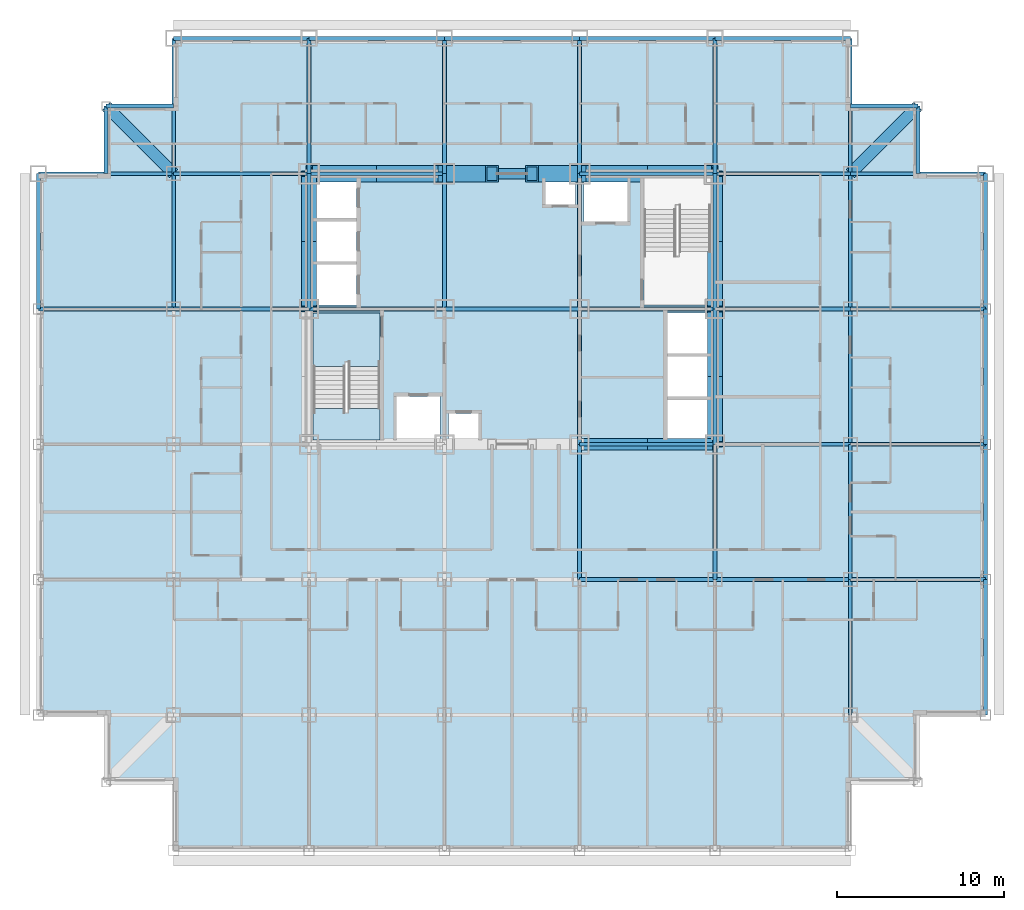
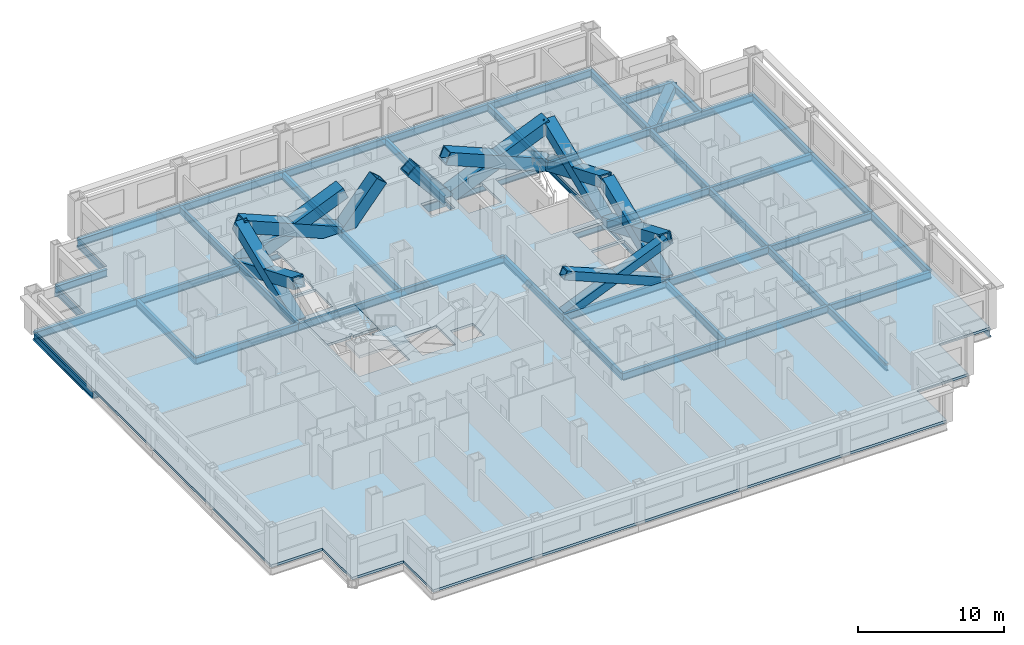
# One storey, part 2 of 11: 55 beams, 14 members, 3 slabs, 1 element without a shape of its own.
"""IFC4 building model written with IfcOpenShell, lengths in metres."""

from ifc_helpers import new_model, si_unit, direction, frame, origin, origin_2d, place, context, subcontext, project, spatial, polyline, hollow_rectangle, i_section, outline, extrude, material, layer, layer_set, material_profile, profile_set, type_object, element, aggregate, save


model = new_model("IFC4")

# Units and contexts
model_context = context("Model", 3, precision=1e-05, world=origin(), true_north=direction((0.0, 1.0)))
body_context = subcontext(model_context, "Body", "Model", "MODEL_VIEW")
ifc_project = project(units=[si_unit("LENGTHUNIT", "METRE"), si_unit("AREAUNIT", "SQUARE_METRE"), si_unit("VOLUMEUNIT", "CUBIC_METRE"), si_unit("PLANEANGLEUNIT", "RADIAN"), si_unit("MASSUNIT", "GRAM", prefix="KILO")], contexts=[model_context])

# Site, building, storey
site_placement = place(None, origin())
site = spatial("IfcSite", under=ifc_project, at=site_placement, CompositionType="ELEMENT")
building_placement = place(site_placement, origin())
building = spatial("IfcBuilding", under=site, at=building_placement, Name="Kopane Lantern Tower", CompositionType="ELEMENT")
storey_placement = place(building_placement, frame((0.0, 0.0, 73.800048828125)))
storey = spatial("IfcBuildingStorey", under=building, at=storey_placement, Name="L18", CompositionType="ELEMENT", Elevation=73.800048828125)

# Members
ifc_material_1 = material(Name="Steel S355JR", Category="steel")
ifc_material_profile_1 = material_profile(ifc_material_1, hollow_rectangle(XDim=1.0, YDim=1.0, WallThickness=0.10009765625, at=origin_2d()), Name="BOX 1000x1000x100")
ifc_profile_set_1 = profile_set([ifc_material_profile_1], Name="Steel S355JR")
member_type_1 = type_object("IfcMemberType", Name="BRACE BOX 1000x1000x100", PredefinedType="BRACE", material=ifc_profile_set_1)
for number, where, z_axis, x_axis, name in (
    (1, (16.199951171875, 40.5, -0.2099609375), (0.922069000757, 0.0, 0.387025526088), (0.0, 1.0, 0.0), "Core brace L18"),
    (2, (24.300048828125, 40.5, -0.2099609375), (-0.922069000757, 0.0, 0.387025526088), (0.0, -1.0, 0.0), "Core brace L18"),
):
    element("IfcMember", number, at=place(storey_placement, frame(where, z_axis=z_axis, x_axis=x_axis)), inside=storey, type_object=member_type_1, Name=name, PredefinedType="BRACE", context=body_context, shape_type="SweptSolid", body=[
        extrude(hollow_rectangle(XDim=1.0, YDim=1.0, WallThickness=0.10009765625, at=origin_2d()), origin(), (0.0, 0.0, 1.0), 8.78466796875),
    ])
for number, where, z_axis, x_axis, name in (
    (3, (24.300048828125, 40.5, -0.2099609375), (0.642390257445, 0.0, 0.7663776857), (0.0, 1.0, 0.0), "Core brace L18"),
    (4, (32.39990234375, 40.5, -0.2099609375), (-0.642390257445, 0.0, 0.7663776857), (0.0, -1.0, 0.0), "Core brace L18"),
):
    element("IfcMember", number, at=place(storey_placement, frame(where, z_axis=z_axis, x_axis=x_axis)), inside=storey, type_object=member_type_1, Name=name, PredefinedType="BRACE", context=body_context, shape_type="SweptSolid", body=[
        extrude(hollow_rectangle(XDim=1.0, YDim=1.0, WallThickness=0.10009765625, at=origin_2d()), origin(), (0.0, 0.0, 1.0), 4.436279296875),
    ])
for number, where, z_axis, x_axis, name in (
    (5, (32.39990234375, 40.5, -0.2099609375), (0.922069000757, 0.0, 0.387025526088), (0.0, 1.0, 0.0), "Core brace L18"),
    (6, (40.5, 40.5, -0.2099609375), (-0.922069000757, 0.0, 0.387025526088), (0.0, -1.0, 0.0), "Core brace L18"),
):
    element("IfcMember", number, at=place(storey_placement, frame(where, z_axis=z_axis, x_axis=x_axis)), inside=storey, type_object=member_type_1, Name=name, PredefinedType="BRACE", context=body_context, shape_type="SweptSolid", body=[
        extrude(hollow_rectangle(XDim=1.0, YDim=1.0, WallThickness=0.10009765625, at=origin_2d()), origin(), (0.0, 0.0, 1.0), 8.78466796875),
    ])
ifc_material_2 = material(Name="Steel S355JR", Category="steel")
ifc_material_profile_2 = material_profile(ifc_material_2, hollow_rectangle(XDim=0.699951171875, YDim=0.699951171875, WallThickness=0.06005859375, at=origin_2d()), Name="BOX 700x700x60")
ifc_profile_set_2 = profile_set([ifc_material_profile_2], Name="Steel S355JR")
member_type_2 = type_object("IfcMemberType", Name="BRACE BOX 700x700x60", PredefinedType="BRACE", material=ifc_profile_set_2)
for number, where, z_axis, x_axis, name in (
    (7, (32.39990234375, 24.300048828125, -0.2099609375), (0.922069000757, 0.0, 0.387025526088), (0.0, 1.0, 0.0), "Core brace L18"),
    (8, (40.5, 24.300048828125, -0.2099609375), (-0.922069000757, 0.0, 0.387025526088), (0.0, -1.0, 0.0), "Core brace L18"),
):
    element("IfcMember", number, at=place(storey_placement, frame(where, z_axis=z_axis, x_axis=x_axis)), inside=storey, type_object=member_type_2, Name=name, PredefinedType="BRACE", context=body_context, shape_type="SweptSolid", body=[
        extrude(hollow_rectangle(XDim=0.699951171875, YDim=0.699951171875, WallThickness=0.06005859375, at=origin_2d()), origin(), (0.0, 0.0, 1.0), 8.78466796875),
    ])
ifc_material_3 = material(Name="Steel S355JR", Category="steel")
ifc_material_profile_3 = material_profile(ifc_material_3, hollow_rectangle(XDim=0.89990234375, YDim=0.89990234375, WallThickness=0.090087890625, at=origin_2d()), Name="BOX 900x900x90")
ifc_profile_set_3 = profile_set([ifc_material_profile_3], Name="Steel S355JR")
member_type_3 = type_object("IfcMemberType", Name="BRACE BOX 900x900x90", PredefinedType="BRACE", material=ifc_profile_set_3)
for number, where, z_axis, x_axis, name in (
    (9, (16.199951171875, 32.39990234375, -0.2099609375), (0.0, 0.922069000757, 0.387025526088), (-1.0, 0.0, 0.0), "Core brace L18"),
    (10, (16.199951171875, 40.5, -0.2099609375), (0.0, -0.922069000757, 0.387025526088), (1.0, 0.0, 0.0), "Core brace L18"),
):
    element("IfcMember", number, at=place(storey_placement, frame(where, z_axis=z_axis, x_axis=x_axis)), inside=storey, type_object=member_type_3, Name=name, PredefinedType="BRACE", context=body_context, shape_type="SweptSolid", body=[
        extrude(hollow_rectangle(XDim=0.89990234375, YDim=0.89990234375, WallThickness=0.090087890625, at=origin_2d()), origin(), (0.0, 0.0, 1.0), 8.78466796875),
    ])
for number, where, z_axis, x_axis, name in (
    (11, (40.5, 24.300048828125, -0.2099609375), (0.0, 0.922064837731, 0.38703544414), (-1.0, 0.0, 0.0), "Core brace L18"),
    (12, (40.5, 32.39990234375, -0.2099609375), (0.0, -0.922064837731, 0.38703544414), (1.0, 0.0, 0.0), "Core brace L18"),
):
    element("IfcMember", number, at=place(storey_placement, frame(where, z_axis=z_axis, x_axis=x_axis)), inside=storey, type_object=member_type_3, Name=name, PredefinedType="BRACE", context=body_context, shape_type="SweptSolid", body=[
        extrude(hollow_rectangle(XDim=0.89990234375, YDim=0.89990234375, WallThickness=0.090087890625, at=origin_2d()), origin(), (0.0, 0.0, 1.0), 8.784423828125),
    ])
for number, where, z_axis, x_axis, name in (
    (13, (40.5, 32.39990234375, -0.2099609375), (0.0, 0.922069000757, 0.387025526088), (-1.0, 0.0, 0.0), "Core brace L18"),
    (14, (40.5, 40.5, -0.2099609375), (0.0, -0.922069000757, 0.387025526088), (1.0, 0.0, 0.0), "Core brace L18"),
):
    element("IfcMember", number, at=place(storey_placement, frame(where, z_axis=z_axis, x_axis=x_axis)), inside=storey, type_object=member_type_3, Name=name, PredefinedType="BRACE", context=body_context, shape_type="SweptSolid", body=[
        extrude(hollow_rectangle(XDim=0.89990234375, YDim=0.89990234375, WallThickness=0.090087890625, at=origin_2d()), origin(), (0.0, 0.0, 1.0), 8.78466796875),
    ])

# Beams
ifc_material_4 = material(Name="Steel S355JR", Category="steel")
ifc_material_profile_4 = material_profile(ifc_material_4, i_section(OverallWidth=0.22900390625, OverallDepth=0.6123046875, WebThickness=0.011962890625, FlangeThickness=0.01953125, FilletRadius=0.0126953125, at=origin_2d()), Name="UB 610x229x125")
ifc_profile_set_4 = profile_set([ifc_material_profile_4], Name="Steel S355JR")
beam_type_1 = type_object("IfcBeamType", Name="CORE BEAM UB 610x229x125", PredefinedType="BEAM", material=ifc_profile_set_4)
for number, where, z_axis, x_axis, name in (
    (15, (16.199951171875, 32.39990234375, -0.51611328125), (1.0, 0.0, 0.0), (0.0, 1.0, 0.0), "Core Beam L18"),
    (16, (24.300048828125, 32.39990234375, -0.51611328125), (0.0, 1.0, 0.0), (-1.0, 0.0, 0.0), "Core Beam L18"),
):
    element("IfcBeam", number, at=place(storey_placement, frame(where, z_axis=z_axis, x_axis=x_axis)), inside=storey, type_object=beam_type_1, Name=name, PredefinedType="BEAM", context=body_context, shape_type="SweptSolid", body=[
        extrude(i_section(OverallWidth=0.22900390625, OverallDepth=0.6123046875, WebThickness=0.011962890625, FlangeThickness=0.01953125, FilletRadius=0.0126953125, at=origin_2d()), origin(), (0.0, 0.0, 1.0), 8.10009765625),
    ])
for number, where, z_axis, x_axis, name in (
    (17, (24.300048828125, 32.39990234375, -0.51611328125), (1.0, 0.0, 0.0), (0.0, 1.0, 0.0), "Core Beam L18"),
    (18, (32.39990234375, 24.300048828125, -0.51611328125), (0.0, 1.0, 0.0), (-1.0, 0.0, 0.0), "Core Beam L18"),
):
    element("IfcBeam", number, at=place(storey_placement, frame(where, z_axis=z_axis, x_axis=x_axis)), inside=storey, type_object=beam_type_1, Name=name, PredefinedType="BEAM", context=body_context, shape_type="SweptSolid", body=[
        extrude(i_section(OverallWidth=0.22900390625, OverallDepth=0.6123046875, WebThickness=0.011962890625, FlangeThickness=0.01953125, FilletRadius=0.0126953125, at=origin_2d()), origin(), (0.0, 0.0, 1.0), 8.099853515625),
    ])
for number, where, z_axis, x_axis, name in (
    (19, (32.39990234375, 32.39990234375, -0.51611328125), (0.0, 1.0, 0.0), (-1.0, 0.0, 0.0), "Core Beam L18"),
    (20, (32.39990234375, 32.39990234375, -0.51611328125), (1.0, 0.0, 0.0), (0.0, 1.0, 0.0), "Core Beam L18"),
):
    element("IfcBeam", number, at=place(storey_placement, frame(where, z_axis=z_axis, x_axis=x_axis)), inside=storey, type_object=beam_type_1, Name=name, PredefinedType="BEAM", context=body_context, shape_type="SweptSolid", body=[
        extrude(i_section(OverallWidth=0.22900390625, OverallDepth=0.6123046875, WebThickness=0.011962890625, FlangeThickness=0.01953125, FilletRadius=0.0126953125, at=origin_2d()), origin(), (0.0, 0.0, 1.0), 8.10009765625),
    ])
ifc_material_5 = material(Name="Steel S355JR", Category="steel")
ifc_material_profile_5 = material_profile(ifc_material_5, hollow_rectangle(XDim=0.699951171875, YDim=0.699951171875, WallThickness=0.06005859375, at=origin_2d()), Name="BOX 700x700x60")
ifc_profile_set_5 = profile_set([ifc_material_profile_5], Name="Steel S355JR")
beam_type_2 = type_object("IfcBeamType", Name="CORNER TIE BEAM BOX 700x700x60", PredefinedType="BEAM", material=ifc_profile_set_5)
for number, where, z_axis, x_axis, name in (
    (21, (4.050048828125, 44.550048828125, -0.56005859375), (0.707106781187, -0.707106781187, 0.0), (0.707106781187, 0.707106781187, 0.0), "Corner Tie Beam L18"),
    (22, (52.64990234375, 44.550048828125, -0.56005859375), (-0.707085467703, -0.707128094028, 0.0), (0.707128094028, -0.707085467703, 0.0), "Corner Tie Beam L18"),
):
    element("IfcBeam", number, at=place(storey_placement, frame(where, z_axis=z_axis, x_axis=x_axis)), inside=storey, type_object=beam_type_2, Name=name, PredefinedType="BEAM", context=body_context, shape_type="SweptSolid", body=[
        extrude(hollow_rectangle(XDim=0.699951171875, YDim=0.699951171875, WallThickness=0.06005859375, at=origin_2d()), origin(), (0.0, 0.0, 1.0), 5.7275390625),
    ])
ifc_material_6 = material(Name="Steel S355JR", Category="steel")
ifc_material_profile_6 = material_profile(ifc_material_6, i_section(OverallWidth=0.22900390625, OverallDepth=0.6123046875, WebThickness=0.011962890625, FlangeThickness=0.01953125, FilletRadius=0.0126953125, at=origin_2d()), Name="UB 610x229x125")
ifc_profile_set_6 = profile_set([ifc_material_profile_6], Name="Steel S355JR")
beam_type_3 = type_object("IfcBeamType", Name="EDGE BEAM UB 610x229x125", PredefinedType="BEAM", material=ifc_profile_set_6)
for number, where, z_axis, x_axis, name in (
    (23, (4.050048828125, 44.550048828125, -0.51611328125), (0.0, -1.0, 0.0), (1.0, 0.0, 0.0), "Edge Beam L18"),
    (24, (4.050048828125, 44.550048828125, -0.51611328125), (1.0, 0.0, 0.0), (0.0, 1.0, 0.0), "Edge Beam L18"),
):
    element("IfcBeam", number, at=place(storey_placement, frame(where, z_axis=z_axis, x_axis=x_axis)), inside=storey, type_object=beam_type_3, Name=name, PredefinedType="BEAM", context=body_context, shape_type="SweptSolid", body=[
        extrude(i_section(OverallWidth=0.22900390625, OverallDepth=0.6123046875, WebThickness=0.011962890625, FlangeThickness=0.01953125, FilletRadius=0.0126953125, at=origin_2d()), origin(), (0.0, 0.0, 1.0), 4.050048828125),
    ])
beam_1_placement = place(storey_placement, frame((52.64990234375, 44.550048828125, -0.51611328125), z_axis=(-1.0, 0.0, 0.0), x_axis=(0.0, -1.0, 0.0)))
element("IfcBeam", 25, at=beam_1_placement, inside=storey, type_object=beam_type_3, Name="Edge Beam L18", PredefinedType="BEAM", context=body_context, shape_type="SweptSolid", body=[
    extrude(i_section(OverallWidth=0.22900390625, OverallDepth=0.6123046875, WebThickness=0.011962890625, FlangeThickness=0.01953125, FilletRadius=0.0126953125, at=origin_2d()), origin(), (0.0, 0.0, 1.0), 4.0498046875),
])
beam_2_placement = place(storey_placement, frame((52.64990234375, 44.550048828125, -0.51611328125), z_axis=(0.0, -1.0, 0.0), x_axis=(1.0, 0.0, 0.0)))
element("IfcBeam", 26, at=beam_2_placement, inside=storey, type_object=beam_type_3, Name="Edge Beam L18", PredefinedType="BEAM", context=body_context, shape_type="SweptSolid", body=[
    extrude(i_section(OverallWidth=0.22900390625, OverallDepth=0.6123046875, WebThickness=0.011962890625, FlangeThickness=0.01953125, FilletRadius=0.0126953125, at=origin_2d()), origin(), (0.0, 0.0, 1.0), 4.050048828125),
])
ifc_material_7 = material(Name="Steel S355JR", Category="steel")
ifc_material_profile_7 = material_profile(ifc_material_7, i_section(OverallWidth=0.22900390625, OverallDepth=0.6123046875, WebThickness=0.011962890625, FlangeThickness=0.01953125, FilletRadius=0.0126953125, at=origin_2d()), Name="UB 610x229x125")
ifc_profile_set_7 = profile_set([ifc_material_profile_7], Name="Steel S355JR")
beam_type_4 = type_object("IfcBeamType", Name="GIRDER UB 610x229x125", PredefinedType="BEAM", material=ifc_profile_set_7)
for number, where, z_axis, x_axis, name in (
    (27, (0.0, 32.39990234375, -0.51611328125), (0.0, 1.0, 0.0), (-1.0, 0.0, 0.0), "Girder L18"),
    (28, (0.0, 32.39990234375, -0.51611328125), (1.0, 0.0, 0.0), (0.0, 1.0, 0.0), "Girder L18"),
    (29, (0.0, 40.5, -0.51611328125), (1.0, 0.0, 0.0), (0.0, 1.0, 0.0), "Girder L18"),
    (30, (8.10009765625, 32.39990234375, -0.51611328125), (0.0, 1.0, 0.0), (-1.0, 0.0, 0.0), "Girder L18"),
):
    element("IfcBeam", number, at=place(storey_placement, frame(where, z_axis=z_axis, x_axis=x_axis)), inside=storey, type_object=beam_type_4, Name=name, PredefinedType="BEAM", context=body_context, shape_type="SweptSolid", body=[
        extrude(i_section(OverallWidth=0.22900390625, OverallDepth=0.6123046875, WebThickness=0.011962890625, FlangeThickness=0.01953125, FilletRadius=0.0126953125, at=origin_2d()), origin(), (0.0, 0.0, 1.0), 8.10009765625),
    ])
beam_3_placement = place(storey_placement, frame((8.10009765625, 32.39990234375, -0.51611328125), z_axis=(1.0, 0.0, 0.0), x_axis=(0.0, 1.0, 0.0)))
element("IfcBeam", 31, at=beam_3_placement, inside=storey, type_object=beam_type_4, Name="Girder L18", PredefinedType="BEAM", context=body_context, shape_type="SweptSolid", body=[
    extrude(i_section(OverallWidth=0.22900390625, OverallDepth=0.6123046875, WebThickness=0.011962890625, FlangeThickness=0.01953125, FilletRadius=0.0126953125, at=origin_2d()), origin(), (0.0, 0.0, 1.0), 8.099853515625),
])
beam_4_placement = place(storey_placement, frame((8.10009765625, 40.5, -0.51611328125), z_axis=(0.0, 1.0, 0.0), x_axis=(-1.0, 0.0, 0.0)))
element("IfcBeam", 32, at=beam_4_placement, inside=storey, type_object=beam_type_4, Name="Girder L18", PredefinedType="BEAM", context=body_context, shape_type="SweptSolid", body=[
    extrude(i_section(OverallWidth=0.22900390625, OverallDepth=0.6123046875, WebThickness=0.011962890625, FlangeThickness=0.01953125, FilletRadius=0.0126953125, at=origin_2d()), origin(), (0.0, 0.0, 1.0), 8.10009765625),
])
for number, where, z_axis, x_axis, name in (
    (33, (8.10009765625, 40.5, -0.51611328125), (1.0, 0.0, 0.0), (0.0, 1.0, 0.0), "Girder L18"),
    (34, (8.10009765625, 48.60009765625, -0.51611328125), (1.0, 0.0, 0.0), (0.0, 1.0, 0.0), "Girder L18"),
):
    element("IfcBeam", number, at=place(storey_placement, frame(where, z_axis=z_axis, x_axis=x_axis)), inside=storey, type_object=beam_type_4, Name=name, PredefinedType="BEAM", context=body_context, shape_type="SweptSolid", body=[
        extrude(i_section(OverallWidth=0.22900390625, OverallDepth=0.6123046875, WebThickness=0.011962890625, FlangeThickness=0.01953125, FilletRadius=0.0126953125, at=origin_2d()), origin(), (0.0, 0.0, 1.0), 8.099853515625),
    ])
for number, where, z_axis, x_axis, name in (
    (35, (16.199951171875, 32.39990234375, -0.51611328125), (0.0, 1.0, 0.0), (-1.0, 0.0, 0.0), "Girder L18"),
    (36, (16.199951171875, 40.5, -0.51611328125), (0.0, 1.0, 0.0), (-1.0, 0.0, 0.0), "Girder L18"),
    (37, (16.199951171875, 40.5, -0.51611328125), (1.0, 0.0, 0.0), (0.0, 1.0, 0.0), "Girder L18"),
    (38, (16.199951171875, 48.60009765625, -0.51611328125), (1.0, 0.0, 0.0), (0.0, 1.0, 0.0), "Girder L18"),
    (39, (24.300048828125, 40.5, -0.51611328125), (0.0, 1.0, 0.0), (-1.0, 0.0, 0.0), "Girder L18"),
):
    element("IfcBeam", number, at=place(storey_placement, frame(where, z_axis=z_axis, x_axis=x_axis)), inside=storey, type_object=beam_type_4, Name=name, PredefinedType="BEAM", context=body_context, shape_type="SweptSolid", body=[
        extrude(i_section(OverallWidth=0.22900390625, OverallDepth=0.6123046875, WebThickness=0.011962890625, FlangeThickness=0.01953125, FilletRadius=0.0126953125, at=origin_2d()), origin(), (0.0, 0.0, 1.0), 8.10009765625),
    ])
beam_5_placement = place(storey_placement, frame((24.300048828125, 48.60009765625, -0.51611328125), z_axis=(1.0, 0.0, 0.0), x_axis=(0.0, 1.0, 0.0)))
element("IfcBeam", 40, at=beam_5_placement, inside=storey, type_object=beam_type_4, Name="Girder L18", PredefinedType="BEAM", context=body_context, shape_type="SweptSolid", body=[
    extrude(i_section(OverallWidth=0.22900390625, OverallDepth=0.6123046875, WebThickness=0.011962890625, FlangeThickness=0.01953125, FilletRadius=0.0126953125, at=origin_2d()), origin(), (0.0, 0.0, 1.0), 8.099853515625),
])
for number, where, z_axis, x_axis, name in (
    (41, (32.39990234375, 16.199951171875, -0.51611328125), (0.0, 1.0, 0.0), (-1.0, 0.0, 0.0), "Girder L18"),
    (42, (32.39990234375, 16.199951171875, -0.51611328125), (1.0, 0.0, 0.0), (0.0, 1.0, 0.0), "Girder L18"),
    (43, (32.39990234375, 24.300048828125, -0.51611328125), (1.0, 0.0, 0.0), (0.0, 1.0, 0.0), "Girder L18"),
    (44, (32.39990234375, 40.5, -0.51611328125), (0.0, 1.0, 0.0), (-1.0, 0.0, 0.0), "Girder L18"),
    (45, (32.39990234375, 40.5, -0.51611328125), (1.0, 0.0, 0.0), (0.0, 1.0, 0.0), "Girder L18"),
    (46, (32.39990234375, 48.60009765625, -0.51611328125), (1.0, 0.0, 0.0), (0.0, 1.0, 0.0), "Girder L18"),
    (47, (40.5, 16.199951171875, -0.51611328125), (0.0, 1.0, 0.0), (-1.0, 0.0, 0.0), "Girder L18"),
    (48, (40.5, 16.199951171875, -0.51611328125), (1.0, 0.0, 0.0), (0.0, 1.0, 0.0), "Girder L18"),
):
    element("IfcBeam", number, at=place(storey_placement, frame(where, z_axis=z_axis, x_axis=x_axis)), inside=storey, type_object=beam_type_4, Name=name, PredefinedType="BEAM", context=body_context, shape_type="SweptSolid", body=[
        extrude(i_section(OverallWidth=0.22900390625, OverallDepth=0.6123046875, WebThickness=0.011962890625, FlangeThickness=0.01953125, FilletRadius=0.0126953125, at=origin_2d()), origin(), (0.0, 0.0, 1.0), 8.10009765625),
    ])
beam_6_placement = place(storey_placement, frame((40.5, 24.300048828125, -0.51611328125), z_axis=(0.0, 1.0, 0.0), x_axis=(-1.0, 0.0, 0.0)))
element("IfcBeam", 49, at=beam_6_placement, inside=storey, type_object=beam_type_4, Name="Girder L18", PredefinedType="BEAM", context=body_context, shape_type="SweptSolid", body=[
    extrude(i_section(OverallWidth=0.22900390625, OverallDepth=0.6123046875, WebThickness=0.011962890625, FlangeThickness=0.01953125, FilletRadius=0.0126953125, at=origin_2d()), origin(), (0.0, 0.0, 1.0), 8.099853515625),
])
for number, where, z_axis, x_axis, name in (
    (50, (40.5, 24.300048828125, -0.51611328125), (1.0, 0.0, 0.0), (0.0, 1.0, 0.0), "Girder L18"),
    (51, (40.5, 32.39990234375, -0.51611328125), (0.0, 1.0, 0.0), (-1.0, 0.0, 0.0), "Girder L18"),
    (52, (40.5, 32.39990234375, -0.51611328125), (1.0, 0.0, 0.0), (0.0, 1.0, 0.0), "Girder L18"),
    (53, (40.5, 40.5, -0.51611328125), (0.0, 1.0, 0.0), (-1.0, 0.0, 0.0), "Girder L18"),
    (54, (40.5, 40.5, -0.51611328125), (1.0, 0.0, 0.0), (0.0, 1.0, 0.0), "Girder L18"),
    (55, (40.5, 48.60009765625, -0.51611328125), (1.0, 0.0, 0.0), (0.0, 1.0, 0.0), "Girder L18"),
):
    element("IfcBeam", number, at=place(storey_placement, frame(where, z_axis=z_axis, x_axis=x_axis)), inside=storey, type_object=beam_type_4, Name=name, PredefinedType="BEAM", context=body_context, shape_type="SweptSolid", body=[
        extrude(i_section(OverallWidth=0.22900390625, OverallDepth=0.6123046875, WebThickness=0.011962890625, FlangeThickness=0.01953125, FilletRadius=0.0126953125, at=origin_2d()), origin(), (0.0, 0.0, 1.0), 8.10009765625),
    ])
beam_7_placement = place(storey_placement, frame((48.60009765625, 8.10009765625, -0.51611328125), z_axis=(0.0, 1.0, 0.0), x_axis=(-1.0, 0.0, 0.0)))
element("IfcBeam", 56, at=beam_7_placement, inside=storey, type_object=beam_type_4, Name="Girder L18", PredefinedType="BEAM", context=body_context, shape_type="SweptSolid", body=[
    extrude(i_section(OverallWidth=0.22900390625, OverallDepth=0.6123046875, WebThickness=0.011962890625, FlangeThickness=0.01953125, FilletRadius=0.0126953125, at=origin_2d()), origin(), (0.0, 0.0, 1.0), 8.099853515625),
])
beam_8_placement = place(storey_placement, frame((48.60009765625, 16.199951171875, -0.51611328125), z_axis=(0.0, 1.0, 0.0), x_axis=(-1.0, 0.0, 0.0)))
element("IfcBeam", 57, at=beam_8_placement, inside=storey, type_object=beam_type_4, Name="Girder L18", PredefinedType="BEAM", context=body_context, shape_type="SweptSolid", body=[
    extrude(i_section(OverallWidth=0.22900390625, OverallDepth=0.6123046875, WebThickness=0.011962890625, FlangeThickness=0.01953125, FilletRadius=0.0126953125, at=origin_2d()), origin(), (0.0, 0.0, 1.0), 8.10009765625),
])
for number, where, z_axis, x_axis, name in (
    (58, (48.60009765625, 16.199951171875, -0.51611328125), (1.0, 0.0, 0.0), (0.0, 1.0, 0.0), "Girder L18"),
    (59, (48.60009765625, 24.300048828125, -0.51611328125), (0.0, 1.0, 0.0), (-1.0, 0.0, 0.0), "Girder L18"),
    (60, (48.60009765625, 24.300048828125, -0.51611328125), (1.0, 0.0, 0.0), (0.0, 1.0, 0.0), "Girder L18"),
):
    element("IfcBeam", number, at=place(storey_placement, frame(where, z_axis=z_axis, x_axis=x_axis)), inside=storey, type_object=beam_type_4, Name=name, PredefinedType="BEAM", context=body_context, shape_type="SweptSolid", body=[
        extrude(i_section(OverallWidth=0.22900390625, OverallDepth=0.6123046875, WebThickness=0.011962890625, FlangeThickness=0.01953125, FilletRadius=0.0126953125, at=origin_2d()), origin(), (0.0, 0.0, 1.0), 8.099853515625),
    ])
beam_9_placement = place(storey_placement, frame((48.60009765625, 32.39990234375, -0.51611328125), z_axis=(0.0, 1.0, 0.0), x_axis=(-1.0, 0.0, 0.0)))
element("IfcBeam", 61, at=beam_9_placement, inside=storey, type_object=beam_type_4, Name="Girder L18", PredefinedType="BEAM", context=body_context, shape_type="SweptSolid", body=[
    extrude(i_section(OverallWidth=0.22900390625, OverallDepth=0.6123046875, WebThickness=0.011962890625, FlangeThickness=0.01953125, FilletRadius=0.0126953125, at=origin_2d()), origin(), (0.0, 0.0, 1.0), 8.10009765625),
])
beam_10_placement = place(storey_placement, frame((48.60009765625, 32.39990234375, -0.51611328125), z_axis=(1.0, 0.0, 0.0), x_axis=(0.0, 1.0, 0.0)))
element("IfcBeam", 62, at=beam_10_placement, inside=storey, type_object=beam_type_4, Name="Girder L18", PredefinedType="BEAM", context=body_context, shape_type="SweptSolid", body=[
    extrude(i_section(OverallWidth=0.22900390625, OverallDepth=0.6123046875, WebThickness=0.011962890625, FlangeThickness=0.01953125, FilletRadius=0.0126953125, at=origin_2d()), origin(), (0.0, 0.0, 1.0), 8.099853515625),
])
beam_11_placement = place(storey_placement, frame((48.60009765625, 40.5, -0.51611328125), z_axis=(0.0, 1.0, 0.0), x_axis=(-1.0, 0.0, 0.0)))
element("IfcBeam", 63, at=beam_11_placement, inside=storey, type_object=beam_type_4, Name="Girder L18", PredefinedType="BEAM", context=body_context, shape_type="SweptSolid", body=[
    extrude(i_section(OverallWidth=0.22900390625, OverallDepth=0.6123046875, WebThickness=0.011962890625, FlangeThickness=0.01953125, FilletRadius=0.0126953125, at=origin_2d()), origin(), (0.0, 0.0, 1.0), 8.10009765625),
])
for number, where, z_axis, x_axis, name in (
    (64, (48.60009765625, 40.5, -0.51611328125), (1.0, 0.0, 0.0), (0.0, 1.0, 0.0), "Girder L18"),
    (65, (56.699951171875, 8.10009765625, -0.51611328125), (0.0, 1.0, 0.0), (-1.0, 0.0, 0.0), "Girder L18"),
):
    element("IfcBeam", number, at=place(storey_placement, frame(where, z_axis=z_axis, x_axis=x_axis)), inside=storey, type_object=beam_type_4, Name=name, PredefinedType="BEAM", context=body_context, shape_type="SweptSolid", body=[
        extrude(i_section(OverallWidth=0.22900390625, OverallDepth=0.6123046875, WebThickness=0.011962890625, FlangeThickness=0.01953125, FilletRadius=0.0126953125, at=origin_2d()), origin(), (0.0, 0.0, 1.0), 8.099853515625),
    ])
beam_12_placement = place(storey_placement, frame((56.699951171875, 16.199951171875, -0.51611328125), z_axis=(0.0, 1.0, 0.0), x_axis=(-1.0, 0.0, 0.0)))
element("IfcBeam", 66, at=beam_12_placement, inside=storey, type_object=beam_type_4, Name="Girder L18", PredefinedType="BEAM", context=body_context, shape_type="SweptSolid", body=[
    extrude(i_section(OverallWidth=0.22900390625, OverallDepth=0.6123046875, WebThickness=0.011962890625, FlangeThickness=0.01953125, FilletRadius=0.0126953125, at=origin_2d()), origin(), (0.0, 0.0, 1.0), 8.10009765625),
])
beam_13_placement = place(storey_placement, frame((56.699951171875, 24.300048828125, -0.51611328125), z_axis=(0.0, 1.0, 0.0), x_axis=(-1.0, 0.0, 0.0)))
element("IfcBeam", 67, at=beam_13_placement, inside=storey, type_object=beam_type_4, Name="Girder L18", PredefinedType="BEAM", context=body_context, shape_type="SweptSolid", body=[
    extrude(i_section(OverallWidth=0.22900390625, OverallDepth=0.6123046875, WebThickness=0.011962890625, FlangeThickness=0.01953125, FilletRadius=0.0126953125, at=origin_2d()), origin(), (0.0, 0.0, 1.0), 8.099853515625),
])
beam_14_placement = place(storey_placement, frame((56.699951171875, 32.39990234375, -0.51611328125), z_axis=(0.0, 1.0, 0.0), x_axis=(-1.0, 0.0, 0.0)))
element("IfcBeam", 68, at=beam_14_placement, inside=storey, type_object=beam_type_4, Name="Girder L18", PredefinedType="BEAM", context=body_context, shape_type="SweptSolid", body=[
    extrude(i_section(OverallWidth=0.22900390625, OverallDepth=0.6123046875, WebThickness=0.011962890625, FlangeThickness=0.01953125, FilletRadius=0.0126953125, at=origin_2d()), origin(), (0.0, 0.0, 1.0), 8.10009765625),
])
ifc_material_8 = material(Name="Steel S355JR", Category="steel")
ifc_material_profile_8 = material_profile(ifc_material_8, hollow_rectangle(XDim=0.64990234375, YDim=0.64990234375, WallThickness=0.070068359375, at=origin_2d()), Name="BOX 650x650x70")
ifc_profile_set_8 = profile_set([ifc_material_profile_8], Name="Steel S355JR")
beam_type_5 = type_object("IfcBeamType", Name="LINK BEAM BOX 650x650x70", PredefinedType="BEAM", material=ifc_profile_set_8)
beam_15_placement = place(storey_placement, frame((24.300048828125, 40.5, -0.53515625), z_axis=(1.0, 0.0, 0.0), x_axis=(0.0, 1.0, 0.0)))
element("IfcBeam", 69, at=beam_15_placement, inside=storey, type_object=beam_type_5, Name="Link Beam L18", PredefinedType="BEAM", context=body_context, shape_type="SweptSolid", body=[
    extrude(hollow_rectangle(XDim=0.64990234375, YDim=0.64990234375, WallThickness=0.070068359375, at=origin_2d()), origin(), (0.0, 0.0, 1.0), 8.099853515625),
])

# Slab
ifc_material_9 = material(Name="Concrete C40/50", Category="concrete")
ifc_layer_1 = layer(ifc_material_9, 0.2099609375)
ifc_layer_set_1 = layer_set([ifc_layer_1], Name="SLAB 210 COMPOSITE")
slab_type_1 = type_object("IfcSlabType", Name="SLAB 210 COMPOSITE", PredefinedType="FLOOR", material=ifc_layer_set_1)
slab_1_placement = place(storey_placement, frame((0.0, 0.0, -0.2099609375)))
element("IfcSlab", 70, at=slab_1_placement, inside=storey, type_object=slab_type_1, Name="Floor slab L18", PredefinedType="FLOOR", context=body_context, shape_type="SweptSolid", body=[
    extrude(outline(polyline([(8.10009765625, 0.0), (48.60009765625, 0.0), (48.60009765625, 4.050048828125), (52.64990234375, 4.050048828125), (52.64990234375, 8.10009765625), (56.699951171875, 8.10009765625), (56.699951171875, 40.5), (52.64990234375, 40.5), (52.64990234375, 44.550048828125), (48.60009765625, 44.550048828125), (48.60009765625, 48.60009765625), (8.10009765625, 48.60009765625), (8.10009765625, 44.550048828125), (4.050048828125, 44.550048828125), (4.050048828125, 40.5), (0.0, 40.5), (0.0, 8.10009765625), (4.050048828125, 8.10009765625), (4.050048828125, 4.050048828125), (8.10009765625, 4.050048828125), (8.10009765625, 0.0)]), holes=[polyline([(16.449951171875, 24.550048828125), (20.449951171875, 24.550048828125), (20.449951171875, 32.14990234375), (16.449951171875, 32.14990234375), (16.449951171875, 24.550048828125)]), polyline([(36.25, 32.64990234375), (40.25, 32.64990234375), (40.25, 40.25), (36.25, 40.25), (36.25, 32.64990234375)]), polyline([(16.449951171875, 32.64990234375), (19.050048828125, 32.64990234375), (19.050048828125, 35.050048828125), (16.449951171875, 35.050048828125), (16.449951171875, 32.64990234375)]), polyline([(16.449951171875, 35.25), (19.050048828125, 35.25), (19.050048828125, 37.64990234375), (16.449951171875, 37.64990234375), (16.449951171875, 35.25)]), polyline([(16.449951171875, 37.85009765625), (19.050048828125, 37.85009765625), (19.050048828125, 40.25), (16.449951171875, 40.25), (16.449951171875, 37.85009765625)]), polyline([(37.64990234375, 24.550048828125), (40.25, 24.550048828125), (40.25, 26.949951171875), (37.64990234375, 26.949951171875), (37.64990234375, 24.550048828125)]), polyline([(37.64990234375, 27.14990234375), (40.25, 27.14990234375), (40.25, 29.550048828125), (37.64990234375, 29.550048828125), (37.64990234375, 27.14990234375)]), polyline([(37.64990234375, 29.75), (40.25, 29.75), (40.25, 32.14990234375), (37.64990234375, 32.14990234375), (37.64990234375, 29.75)]), polyline([(21.449951171875, 24.550048828125), (24.050048828125, 24.550048828125), (24.050048828125, 27.14990234375), (21.449951171875, 27.14990234375), (21.449951171875, 24.550048828125)]), polyline([(32.64990234375, 37.64990234375), (35.25, 37.64990234375), (35.25, 40.25), (32.64990234375, 40.25), (32.64990234375, 37.64990234375)]), polyline([(24.550048828125, 24.550048828125), (26.35009765625, 24.550048828125), (26.35009765625, 26.14990234375), (24.550048828125, 26.14990234375), (24.550048828125, 24.550048828125)]), polyline([(30.35009765625, 38.64990234375), (32.14990234375, 38.64990234375), (32.14990234375, 40.25), (30.35009765625, 40.25), (30.35009765625, 38.64990234375)])]), origin(), (0.0, 0.0, 1.0), 0.2099609375),
])

# Stair, slabs
ifc_material_10 = material(Name="Steel S355JR", Category="steel")
stair_type = type_object("IfcStairType", Name="EXIT STAIR 1900 HALF TURN", PredefinedType="HALF_TURN_STAIR", material=ifc_material_10)
stair_placement = place(storey_placement, origin())
stair = element("IfcStair", 71, at=stair_placement, inside=storey, type_object=stair_type, Name="Exit stair ST1 L18", PredefinedType="HALF_TURN_STAIR")
ifc_material_11 = material(Name="Concrete C40/50", Category="concrete")
ifc_layer_2 = layer(ifc_material_11, 0.199951171875)
ifc_layer_set_2 = layer_set([ifc_layer_2], Name="STAIR LANDING 200")
slab_type_2 = type_object("IfcSlabType", Name="STAIR LANDING 200", PredefinedType="LANDING", material=ifc_layer_set_2)
slab_2_placement = place(storey_placement, frame((0.0, 0.0, -0.199951171875)))
slab_2 = element("IfcSlab", 72, at=slab_2_placement, type_object=slab_type_2, Name="ST1 landing 1", PredefinedType="LANDING", context=body_context, shape_type="SweptSolid", body=[
    extrude(outline(polyline([(18.35009765625, 29.25), (18.550048828125, 29.25), (18.550048828125, 28.969970703125), (20.449951171875, 28.969970703125), (20.449951171875, 32.14990234375), (16.449951171875, 32.14990234375), (16.449951171875, 28.969970703125), (18.35009765625, 28.969970703125), (18.35009765625, 29.25)])), origin(), (0.0, 0.0, 1.0), 0.199951171875),
])
slab_3_placement = place(storey_placement, frame((0.0, 0.0, 1.5)))
slab_3 = element("IfcSlab", 73, at=slab_3_placement, type_object=slab_type_2, Name="ST1 landing 2", PredefinedType="LANDING", context=body_context, shape_type="SweptSolid", body=[
    extrude(outline(polyline([(20.449951171875, 26.449951171875), (18.550048828125, 26.449951171875), (18.550048828125, 26.169921875), (18.35009765625, 26.169921875), (18.35009765625, 26.449951171875), (16.449951171875, 26.449951171875), (16.449951171875, 24.550048828125), (20.449951171875, 24.550048828125), (20.449951171875, 26.449951171875)])), origin(), (0.0, 0.0, 1.0), 0.199951171875),
])
aggregate(stair, [slab_2, slab_3])

save(model, "model.ifc")
